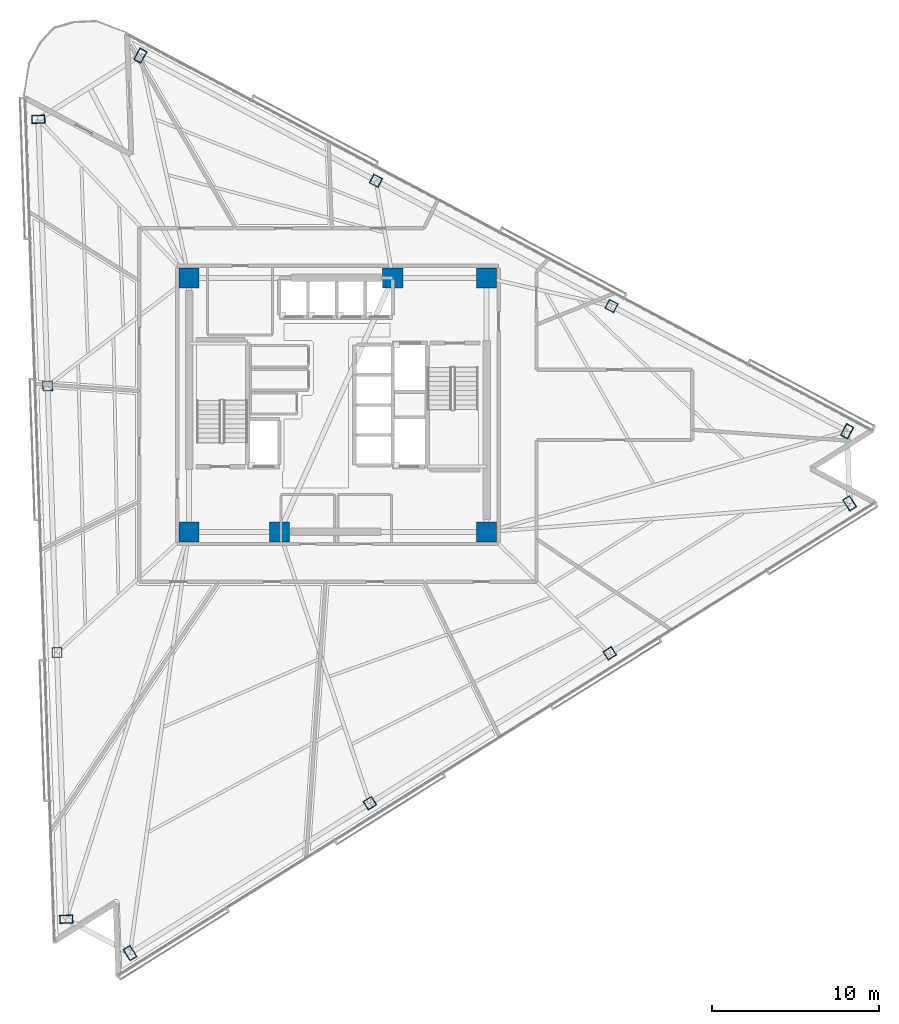
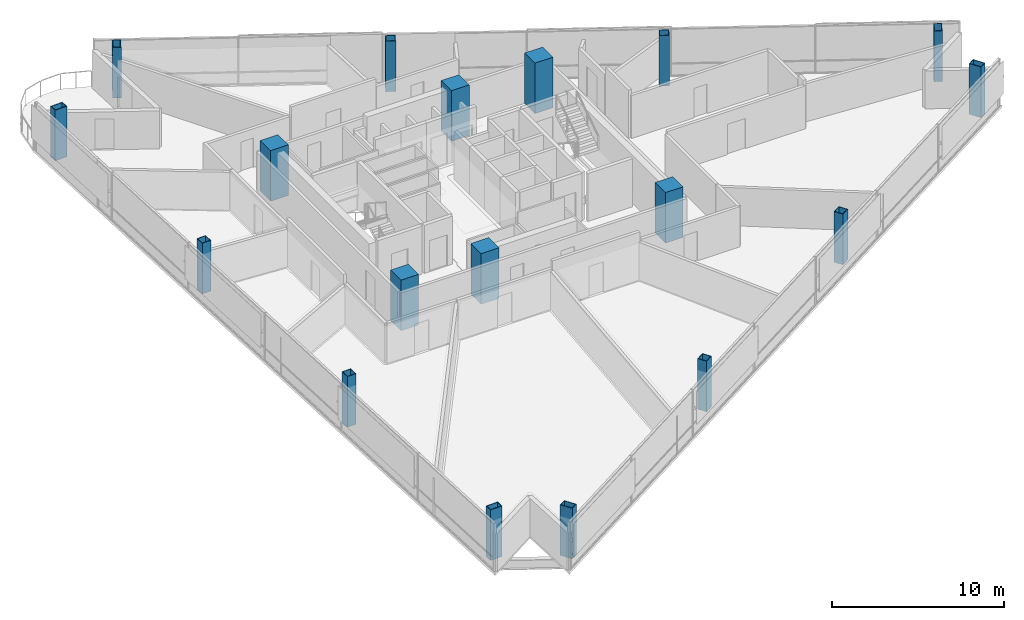
# One storey, part 1 of 20: 18 columns.
"""IFC4 building model written with IfcOpenShell, lengths in metres."""

import ifcopenshell
import ifcopenshell.guid

model = None  # the IFC model being written
_history = None  # IfcOwnerHistory: only IFC2X3 demands one
_inside = {}  # id of a spatial element -> (the spatial element, [elements in it])
_under = {}  # id of a project, library or spatial element -> (it, [spatial elements below it])
_declared = {}  # id of a project -> (the project, [libraries it declares])
_typed = {}  # id of a type object -> (the type object, [elements of that type])
_made_of = {}  # id of a material, layer set ... -> (it, [elements and type objects made of it])


def new_model(schema):
    """Start an empty IFC model of exactly this schema.

    Asked for "IFC4X3", IfcOpenShell would pick the latest addendum, in which some entities
    have other attributes; the version numbers below select the first issue.
    IFC2X3 requires an IfcOwnerHistory on every rooted entity: one is made here for all.
    """
    global model, _history
    if schema == "IFC4X3":
        model = ifcopenshell.file(schema_version=(4, 3, 0, 0))
    else:
        model = ifcopenshell.file(schema=schema)
    _inside.clear()
    _under.clear()
    _declared.clear()
    _typed.clear()
    _made_of.clear()
    _history = None
    if model.schema == "IFC2X3":
        org = make("IfcOrganization", Name="unknown")
        user = make(
            "IfcPersonAndOrganization",
            ThePerson=make("IfcPerson", FamilyName="unknown"),
            TheOrganization=org,
        )
        app = make(
            "IfcApplication",
            ApplicationDeveloper=org,
            Version="unknown",
            ApplicationFullName="unknown",
            ApplicationIdentifier="unknown",
        )
        _history = make(
            "IfcOwnerHistory",
            OwningUser=user,
            OwningApplication=app,
            ChangeAction="ADDED",
            CreationDate=0,
        )
    return model


def make(cls, **values):
    """One entity of the class cls with the attributes given. An attribute that is None is left unset."""
    return model.create_entity(
        cls, **{name: value for name, value in values.items() if value is not None}
    )


def rooted(cls, **values):
    """An entity with a GlobalId (a new one), such as an element, a storey or a relation."""
    return make(cls, GlobalId=ifcopenshell.guid.new(), OwnerHistory=_history, **values)


def si_unit(unit_type, name, prefix=None):
    """IfcSIUnit, for example si_unit("LENGTHUNIT", "METRE", prefix="MILLI")."""
    return make("IfcSIUnit", UnitType=unit_type, Prefix=prefix, Name=name)


def assignment(units):
    """IfcUnitAssignment: the units of a project."""
    return None if units is None else make("IfcUnitAssignment", Units=units)


def point(xyz):
    """IfcCartesianPoint."""
    return None if xyz is None else make("IfcCartesianPoint", Coordinates=xyz)


def direction(xyz):
    """IfcDirection."""
    return None if xyz is None else make("IfcDirection", DirectionRatios=xyz)


def frame(location, z_axis=None, x_axis=None):
    """IfcAxis2Placement3D, a coordinate frame: its origin and axes. An axis left out is left unset."""
    return make(
        "IfcAxis2Placement3D",
        Location=point(location),
        Axis=direction(z_axis),
        RefDirection=direction(x_axis),
    )


def frame_2d(location, x_axis=None):
    """IfcAxis2Placement2D, a coordinate frame in the plane: its origin and x axis."""
    return make(
        "IfcAxis2Placement2D", Location=point(location), RefDirection=direction(x_axis)
    )


def origin():
    """The frame at (0, 0, 0) with its axes left unset."""
    return frame((0.0, 0.0, 0.0))


def origin_2d():
    """The frame at (0, 0) in the plane with its x axis left unset."""
    return frame_2d((0.0, 0.0))


def place(relative_to, where):
    """IfcLocalPlacement: puts the frame where relative to a parent placement (None: the world)."""
    return make(
        "IfcLocalPlacement", PlacementRelTo=relative_to, RelativePlacement=where
    )


def context(
    kind, dimensions, precision=None, world=None, true_north=None, identifier=None
):
    """IfcGeometricRepresentationContext, for example the 3D "Model" context."""
    return make(
        "IfcGeometricRepresentationContext",
        ContextIdentifier=identifier,
        ContextType=kind,
        CoordinateSpaceDimension=dimensions,
        Precision=precision,
        WorldCoordinateSystem=world,
        TrueNorth=true_north,
    )


def subcontext(parent, identifier, kind, view, scale=None):
    """IfcGeometricRepresentationSubContext, for example "Body" below "Model"."""
    return make(
        "IfcGeometricRepresentationSubContext",
        ContextIdentifier=identifier,
        ContextType=kind,
        ParentContext=parent,
        TargetScale=scale,
        TargetView=view,
    )


def project(units=None, contexts=None):
    """IfcProject with its units and contexts."""
    return rooted(
        "IfcProject",
        Name="project",
        RepresentationContexts=contexts,
        UnitsInContext=assignment(units),
    )


def spatial(cls, under=None, at=None, **own):
    """A site, building, storey or space (cls), placed at a placement, below another one or the project."""
    s = rooted(cls, ObjectPlacement=at, **own)
    if under is not None:
        _under.setdefault(under.id(), (under, []))[1].append(s)
    return s


def profile(cls, at=None, kind="AREA", **sizes):
    """A parametric profile (cls). Its sizes go by their IFC names, for example OverallWidth=200.0."""
    return make(cls, ProfileType=kind, Position=at, **sizes)


def rectangle(**sizes):
    """IfcRectangleProfileDef."""
    return profile("IfcRectangleProfileDef", **sizes)


def hollow_rectangle(**sizes):
    """IfcRectangleHollowProfileDef."""
    return profile("IfcRectangleHollowProfileDef", **sizes)


def extrude(swept, where, along, depth):
    """IfcExtrudedAreaSolid: the profile swept, set in the frame where, extruded along a direction by depth."""
    return make(
        "IfcExtrudedAreaSolid",
        SweptArea=swept,
        Position=where,
        ExtrudedDirection=direction(along),
        Depth=depth,
    )


def shape(context_of_items, identifier, shape_type, items):
    """IfcShapeRepresentation: the items that make up one representation, for example the "Body"."""
    return make(
        "IfcShapeRepresentation",
        ContextOfItems=context_of_items,
        RepresentationIdentifier=identifier,
        RepresentationType=shape_type,
        Items=items,
    )


def material(Name=None, Category=None):
    """IfcMaterial."""
    return make("IfcMaterial", Name=Name, Category=Category)


def material_profile(
    of_material, cross_section, Name=None, Category=None, Priority=None
):
    """IfcMaterialProfile: a cross section and its material."""
    return make(
        "IfcMaterialProfile",
        Name=Name,
        Material=of_material,
        Profile=cross_section,
        Priority=Priority,
        Category=Category,
    )


def profile_set(profiles, Name=None, composite=None):
    """IfcMaterialProfileSet."""
    return make(
        "IfcMaterialProfileSet",
        Name=Name,
        MaterialProfiles=profiles,
        CompositeProfile=composite,
    )


def made_of(thing, what):
    """Note that an element or type object is made of a material, layer set ...; save() writes the relation."""
    if what is not None:
        _made_of.setdefault(what.id(), (what, []))[1].append(thing)
    return thing


def type_object(cls, material=None, **own):
    """A type object (cls), such as IfcWallType, which elements share."""
    return made_of(rooted(cls, **own), material)


def element(
    cls,
    number,
    at=None,
    inside=None,
    cuts=None,
    type_object=None,
    material=None,
    context=None,
    identifier="Body",
    shape_type=None,
    held_by="IfcProductDefinitionShape",
    body=None,
    shapes=None,
    **own,
):
    """One element of the class cls, such as IfcWall. Its Tag is "e" and its number.

    at: its placement. inside: the storey or other place that contains it. cuts: it is an
    opening in that element (IfcRelVoidsElement). A single representation is given by context,
    identifier, shape_type and body (its items); several are given by shapes. held_by: the class
    of the entity that holds the representations. save() writes the other relations.
    """
    e = rooted(cls, Tag="e%d" % number, ObjectPlacement=at, **own)
    if body is not None:
        shapes = [shape(context, identifier, shape_type, body)]
    if shapes is not None:
        e.Representation = make(held_by, Representations=shapes)
    if inside is not None:
        _inside.setdefault(inside.id(), (inside, []))[1].append(e)
    if cuts is not None:
        rooted(
            "IfcRelVoidsElement", RelatingBuildingElement=cuts, RelatedOpeningElement=e
        )
    if type_object is not None:
        _typed.setdefault(type_object.id(), (type_object, []))[1].append(e)
    return made_of(e, material)


def aggregate(whole, parts):
    """IfcRelAggregates: a whole, such as a stair, and the parts it consists of."""
    return rooted("IfcRelAggregates", RelatingObject=whole, RelatedObjects=parts)


def save(model, path):
    """Write the relations noted so far, then the file.

    IfcRelAggregates (storeys below a building ...), IfcRelContainedInSpatialStructure (elements
    in a storey), IfcRelDefinesByType, IfcRelAssociatesMaterial and IfcRelDeclares: one each for
    every whole, place, type object, material and project.
    """
    for whole, parts in _under.values():
        aggregate(whole, parts)
    for where, things in _inside.values():
        rooted(
            "IfcRelContainedInSpatialStructure",
            RelatedElements=things,
            RelatingStructure=where,
        )
    for kind, things in _typed.values():
        rooted("IfcRelDefinesByType", RelatedObjects=things, RelatingType=kind)
    for what, things in _made_of.values():
        rooted("IfcRelAssociatesMaterial", RelatedObjects=things, RelatingMaterial=what)
    for by, libraries in _declared.values():
        rooted("IfcRelDeclares", RelatingContext=by, RelatedDefinitions=libraries)
    model.write(path)


model = new_model("IFC4")

# Units and contexts
model_context = context("Model", 3, precision=1e-05, world=origin(), true_north=direction((0.0, 1.0)))
body_context = subcontext(model_context, "Body", "Model", "MODEL_VIEW")
ifc_project = project(units=[si_unit("LENGTHUNIT", "METRE"), si_unit("AREAUNIT", "SQUARE_METRE"), si_unit("VOLUMEUNIT", "CUBIC_METRE"), si_unit("PLANEANGLEUNIT", "RADIAN"), si_unit("MASSUNIT", "GRAM", prefix="KILO")], contexts=[model_context])

# Site, building, storey
site_placement = place(None, origin())
site = spatial("IfcSite", under=ifc_project, at=site_placement, CompositionType="ELEMENT")
building_placement = place(site_placement, origin())
building = spatial("IfcBuilding", under=site, at=building_placement, Name="Tharavind Bronze Gate", CompositionType="ELEMENT")
storey_placement = place(building_placement, frame((0.0, 0.0, 149.60009765625)))
storey = spatial("IfcBuildingStorey", under=building, at=storey_placement, Name="L38", CompositionType="ELEMENT", Elevation=149.60009765625)

# Columns
ifc_material_1 = material(Name="Steel S460", Category="steel")
ifc_material_profile_1 = material_profile(ifc_material_1, hollow_rectangle(XDim=0.5, YDim=0.800048828125, WallThickness=0.0400390625, at=origin_2d()), Name="RHS800X500X40")
ifc_profile_set_1 = profile_set([ifc_material_profile_1], Name="Steel S460")
column_type_1 = type_object("IfcColumnType", Name="CORNER NOTCH COLUMN RHS800X500", PredefinedType="COLUMN", material=ifc_profile_set_1)
for number, where, z_axis, x_axis, name in (
    (1, (-17.9248046875, 17.09228515625, 0.0), (0.0, 0.0, 1.0), (-0.034899496703, 0.999390827019, 0.0), "L38 perimeter column S1C1"),
    (2, (-16.253662109375, -30.767578125, 0.0), (0.0, 0.0, 1.0), (-0.034899496703, 0.999390827019, 0.0), "L38 perimeter column S1C4"),
    (3, (-12.439208984375, -32.7958984375, 0.0), (0.0, 0.0, 1.0), (0.848047171272, 0.529920744356, 0.0), "L38 perimeter column S2C1"),
    (4, (30.615478515625, -5.89208984375, 0.0), (0.0, 0.0, 1.0), (0.848047171272, 0.529920744356, 0.0), "L38 perimeter column S2C4"),
    (5, (30.46484375, -1.57470703125, 0.0), (0.0, 0.0, 1.0), (-0.88294841224, 0.469470021751, 0.0), "L38 perimeter column S3C1"),
    (6, (-11.819091796875, 20.90771484375, 0.0), (0.0, 0.0, 1.0), (-0.88294841224, 0.469470021751, 0.0), "L38 perimeter column S3C4"),
):
    element("IfcColumn", number, at=place(storey_placement, frame(where, z_axis=z_axis, x_axis=x_axis)), inside=storey, type_object=column_type_1, Name=name, PredefinedType="COLUMN", context=body_context, shape_type="SweptSolid", body=[
        extrude(hollow_rectangle(XDim=0.5, YDim=0.800048828125, WallThickness=0.0400390625, at=origin_2d()), origin(), (0.0, 0.0, 1.0), 3.599853515625),
    ])
ifc_material_2 = material(Name="Concrete C60/75", Category="concrete")
ifc_material_profile_2 = material_profile(ifc_material_2, rectangle(XDim=1.199951171875, YDim=1.199951171875, at=origin_2d()), Name="RCCOL1200")
ifc_profile_set_2 = profile_set([ifc_material_profile_2], Name="Concrete C60/75")
column_type_2 = type_object("IfcColumnType", Name="MEGA CORE COLUMN 1200", PredefinedType="COLUMN", material=ifc_profile_set_2)
for number, where, z_axis, x_axis, name in (
    (7, (-8.89990234375, -7.60009765625, 0.0), (0.0, 0.0, 1.0), (1.0, 0.0, 0.0), "L38 core mega column MC1"),
    (8, (-3.5, -7.60009765625, 0.0), (0.0, 0.0, 1.0), (1.0, 0.0, 0.0), "L38 core mega column MC2"),
    (9, (8.89990234375, -7.60009765625, 0.0), (0.0, 0.0, 1.0), (1.0, 0.0, 0.0), "L38 core mega column MC3"),
    (10, (8.89990234375, 7.60009765625, 0.0), (0.0, 0.0, 1.0), (1.0, 0.0, 0.0), "L38 core mega column MC4"),
    (11, (3.280029296875, 7.60009765625, 0.0), (0.0, 0.0, 1.0), (1.0, 0.0, 0.0), "L38 core mega column MC5"),
    (12, (-8.89990234375, 7.60009765625, 0.0), (0.0, 0.0, 1.0), (1.0, 0.0, 0.0), "L38 core mega column MC6"),
):
    element("IfcColumn", number, at=place(storey_placement, frame(where, z_axis=z_axis, x_axis=x_axis)), inside=storey, type_object=column_type_2, Name=name, PredefinedType="COLUMN", context=body_context, shape_type="SweptSolid", body=[
        extrude(rectangle(XDim=1.199951171875, YDim=1.199951171875, at=origin_2d()), origin(), (0.0, 0.0, 1.0), 3.599853515625),
    ])
ifc_material_profile_3 = material_profile(ifc_material_1, hollow_rectangle(XDim=0.60009765625, YDim=0.60009765625, WallThickness=0.035888671875, at=origin_2d()), Name="SHS600X36")
ifc_profile_set_3 = profile_set([ifc_material_profile_3], Name="Steel S460")
column_type_3 = type_object("IfcColumnType", Name="PERIMETER BOX COLUMN SHS600", PredefinedType="COLUMN", material=ifc_profile_set_3)
for number, where, z_axis, x_axis, name in (
    (13, (-17.367919921875, 1.138916015625, 0.0), (0.0, 0.0, 1.0), (-0.034899496703, 0.999390827019, 0.0), "L38 perimeter column S1C2"),
    (14, (-16.810791015625, -14.814208984375, 0.0), (0.0, 0.0, 1.0), (-0.034899496703, 0.999390827019, 0.0), "L38 perimeter column S1C3"),
    (15, (1.912353515625, -23.827880859375, 0.0), (0.0, 0.0, 1.0), (0.848047171272, 0.529920744356, 0.0), "L38 perimeter column S2C2"),
    (16, (16.263916015625, -14.860107421875, 0.0), (0.0, 0.0, 1.0), (0.848047171272, 0.529920744356, 0.0), "L38 perimeter column S2C3"),
    (17, (16.3701171875, 5.91943359375, 0.0), (0.0, 0.0, 1.0), (-0.88294841224, 0.469470021751, 0.0), "L38 perimeter column S3C2"),
    (18, (2.275634765625, 13.41357421875, 0.0), (0.0, 0.0, 1.0), (-0.88294841224, 0.469470021751, 0.0), "L38 perimeter column S3C3"),
):
    element("IfcColumn", number, at=place(storey_placement, frame(where, z_axis=z_axis, x_axis=x_axis)), inside=storey, type_object=column_type_3, Name=name, PredefinedType="COLUMN", context=body_context, shape_type="SweptSolid", body=[
        extrude(hollow_rectangle(XDim=0.60009765625, YDim=0.60009765625, WallThickness=0.035888671875, at=origin_2d()), origin(), (0.0, 0.0, 1.0), 3.599853515625),
    ])

save(model, "model.ifc")
